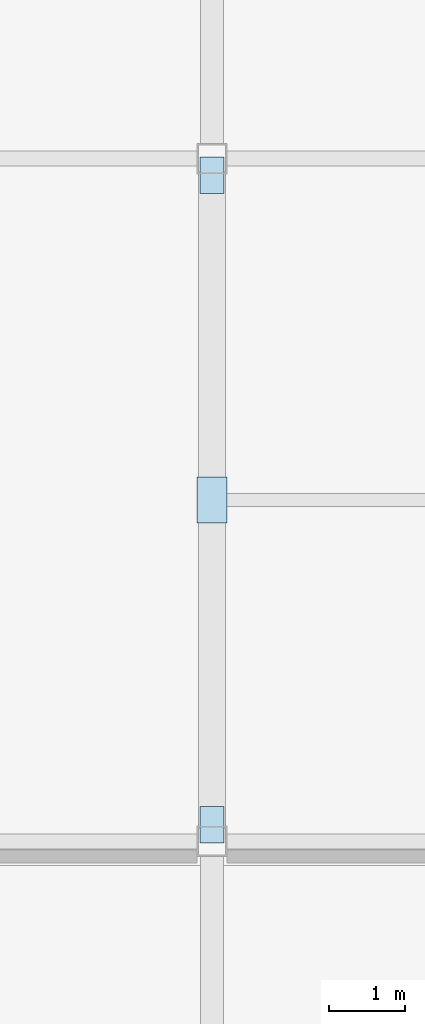
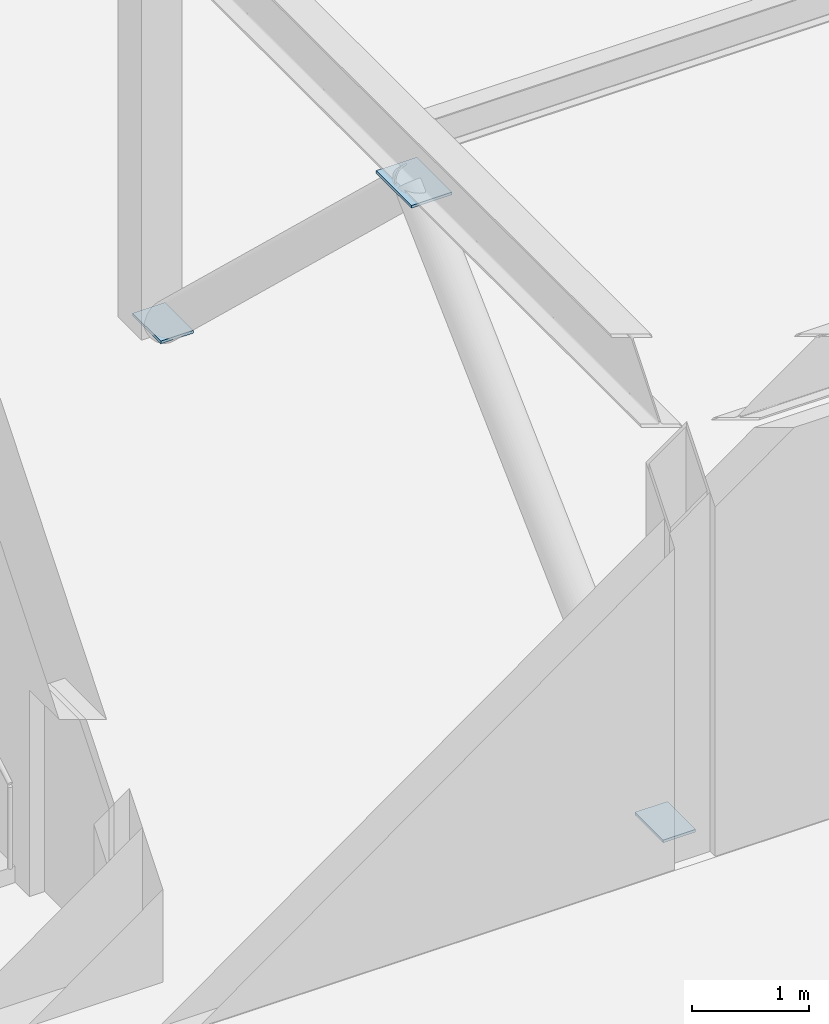
# One storey, part 81 of 123: 3 plates.
"""IFC4 building model written with IfcOpenShell, lengths in metres."""

from ifc_helpers import new_model, si_unit, direction, frame, origin, origin_2d, place, context, subcontext, project, spatial, rectangle, extrude, material, layer, layer_set, type_object, element, save


model = new_model("IFC4")

# Units and contexts
model_context = context("Model", 3, precision=1e-05, world=origin(), true_north=direction((0.0, 1.0)))
body_context = subcontext(model_context, "Body", "Model", "MODEL_VIEW")
ifc_project = project(units=[si_unit("LENGTHUNIT", "METRE"), si_unit("AREAUNIT", "SQUARE_METRE"), si_unit("VOLUMEUNIT", "CUBIC_METRE"), si_unit("PLANEANGLEUNIT", "RADIAN"), si_unit("MASSUNIT", "GRAM", prefix="KILO")], contexts=[model_context])

# Site, building, storey
site_placement = place(None, origin())
site = spatial("IfcSite", under=ifc_project, at=site_placement, CompositionType="ELEMENT")
building_placement = place(site_placement, origin())
building = spatial("IfcBuilding", under=site, at=building_placement, Name="Suzunagisa Mobility Hub", CompositionType="ELEMENT")
storey_placement = place(building_placement, origin())
storey = spatial("IfcBuildingStorey", under=building, at=storey_placement, Name="L00", CompositionType="ELEMENT", Elevation=0.0)

# Plates
ifc_material = material(Name="Steel SN490B", Category="steel")
ifc_layer_1 = layer(ifc_material, 0.028076171875)
ifc_layer_set_1 = layer_set([ifc_layer_1], Name="Steel SN490B")
plate_type_1 = type_object("IfcPlateType", Name="Structural Steel Plate SP-04 480x320x28", PredefinedType="USERDEFINED", material=ifc_layer_set_1)
for number, where, z_axis, x_axis, name in (
    (1, (171.0, 18.219970703125, 0.10595703125), (0.0, 0.0, 1.0), (1.0, 0.0, 0.0), "L00 Brace Foot Gusset Plate FGP-126.1"),
    (2, (171.0, 26.780029296875, 0.10595703125), (0.0, 0.0, 1.0), (1.0, 0.0, 0.0), "L00 Brace Foot Gusset Plate FGP-126.2"),
):
    element("IfcPlate", number, at=place(storey_placement, frame(where, z_axis=z_axis, x_axis=x_axis)), inside=storey, type_object=plate_type_1, Name=name, ObjectType="GUSSET PLATE", PredefinedType="USERDEFINED", context=body_context, shape_type="SweptSolid", body=[
        extrude(rectangle(XDim=0.320068359375, YDim=0.47998046875, at=origin_2d()), origin(), (0.0, 0.0, 1.0), 0.028076171875),
    ])
ifc_layer_2 = layer(ifc_material, 0.028076171875)
ifc_layer_set_2 = layer_set([ifc_layer_2], Name="Steel SN490B")
plate_type_2 = type_object("IfcPlateType", Name="Structural Steel Plate SP-06 600x400x28", PredefinedType="USERDEFINED", material=ifc_layer_set_2)
plate_placement = place(storey_placement, frame((171.0, 22.5, 4.162109375), z_axis=(0.0, 0.0, 1.0), x_axis=(1.0, 0.0, 0.0)))
element("IfcPlate", 3, at=plate_placement, inside=storey, type_object=plate_type_2, Name="L00 Brace Apex Gusset GP-126", ObjectType="GUSSET PLATE", PredefinedType="USERDEFINED", context=body_context, shape_type="SweptSolid", body=[
    extrude(rectangle(XDim=0.39990234375, YDim=0.60009765625, at=origin_2d()), origin(), (0.0, 0.0, 1.0), 0.028076171875),
])

save(model, "model.ifc")
